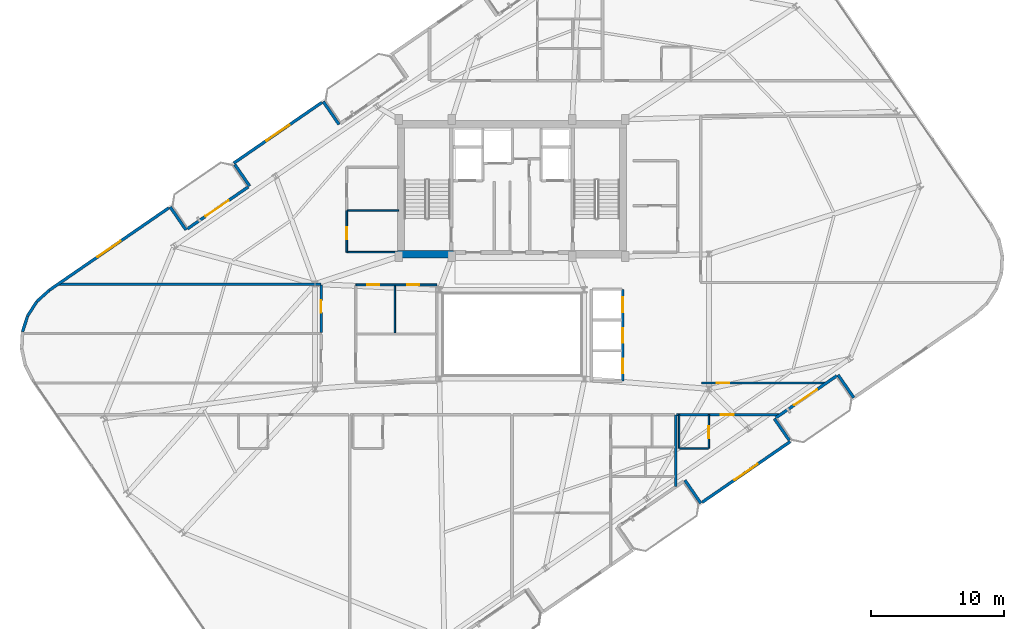
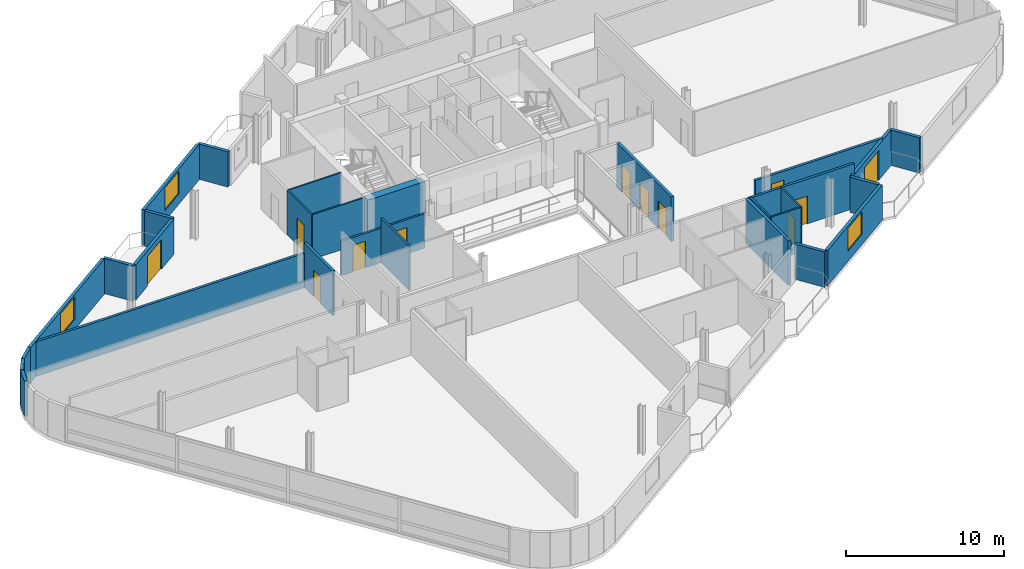
# One storey, part 15 of 21: 29 walls, 12 doors, 3 windows, 15 openings.
"""IFC4 building model written with IfcOpenShell, lengths in metres."""

from ifc_helpers import new_model, si_unit, direction, frame, frame_2d, origin, place, context, subcontext, project, spatial, rectangle, extrude, material, layer, layer_set, type_object, element, fill, save


model = new_model("IFC4")

# Units and contexts
model_context = context("Model", 3, precision=1e-05, world=origin(), true_north=direction((0.0, 1.0)))
body_context = subcontext(model_context, "Body", "Model", "MODEL_VIEW")
ifc_project = project(units=[si_unit("LENGTHUNIT", "METRE"), si_unit("AREAUNIT", "SQUARE_METRE"), si_unit("VOLUMEUNIT", "CUBIC_METRE"), si_unit("PLANEANGLEUNIT", "RADIAN"), si_unit("MASSUNIT", "GRAM", prefix="KILO")], contexts=[model_context])

# Site, building, storey
site_placement = place(None, origin())
site = spatial("IfcSite", under=ifc_project, at=site_placement, CompositionType="ELEMENT")
building_placement = place(site_placement, origin())
building = spatial("IfcBuilding", under=site, at=building_placement, Name="Varnelok Gate Tower", CompositionType="ELEMENT")
storey_placement = place(building_placement, frame((0.0, 0.0, 269.300048828125)))
storey = spatial("IfcBuildingStorey", under=building, at=storey_placement, Name="L69", CompositionType="ELEMENT", Elevation=269.300048828125)

# Wall, opening, door
ifc_material_1 = material(Name="Concrete C45/55", Category="concrete")
ifc_layer_1 = layer(ifc_material_1, 0.219970703125)
ifc_layer_set_1 = layer_set([ifc_layer_1], Name="Concrete C45/55")
wall_type_1 = type_object("IfcWallType", Name="EW-BALC-220", PredefinedType="SOLIDWALL", material=ifc_layer_set_1)
wall_1_placement = place(storey_placement, frame((63.60498046875, 19.780029296875, 0.0), z_axis=(0.0, 0.0, 1.0), x_axis=(-0.823541290762, -0.567256328665, 0.0)))
wall_1 = element("IfcWall", 1, at=wall_1_placement, inside=storey, type_object=wall_type_1, Name="L69 South Terrace Envelope Wall 3", PredefinedType="SOLIDWALL", context=body_context, shape_type="SweptSolid", body=[
    extrude(rectangle(XDim=5.567138671875, YDim=0.219970703125, at=frame_2d((2.78369140625, 0.0))), origin(), (0.0, 0.0, 1.0), 2.72998046875),
])
opening_1_placement = place(wall_1_placement, frame((1.786865234375, 0.0, 0.0)))
opening_1 = element("IfcOpeningElement", 2, at=opening_1_placement, cuts=wall_1, Name="Opening BD-2", PredefinedType="OPENING", context=body_context, shape_type="SweptSolid", body=[
    extrude(rectangle(XDim=2.10009765625, YDim=2.300048828125, at=frame_2d((1.050048828125, 1.14990234375))), frame((0.0, 0.119873046875, 0.0), z_axis=(0.0, -1.0, 0.0), x_axis=(1.0, 0.0, 0.0)), (0.0, 0.0, 1.0), 0.239990234375),
])
ifc_material_2 = material(Name="Anodized Aluminum Alloy 6063-T6", Category="aluminium")
door_type_1 = type_object("IfcDoorType", Name="DR-EXT-SLID2100", OperationType="SLIDING_TO_LEFT", PredefinedType="DOOR", material=ifc_material_2)
door_1_placement = place(opening_1_placement, origin())
door_1 = element("IfcDoor", 3, at=door_1_placement, inside=storey, type_object=door_type_1, Name="L69 South Balcony Glazed Door 3", OperationType="SLIDING_TO_LEFT", OverallHeight=2.300048828125, OverallWidth=2.10009765625, PredefinedType="DOOR", context=body_context, shape_type="SweptSolid", body=[
    extrude(rectangle(XDim=2.10009765625, YDim=2.300048828125, at=frame_2d((1.050048828125, 1.14990234375))), frame((0.0, 0.02490234375, 0.0), z_axis=(0.0, -1.0, 0.0), x_axis=(1.0, 0.0, 0.0)), (0.0, 0.0, 1.0), 0.050048828125),
])
fill(opening_1, door_1)

wall_2_placement = place(storey_placement, frame((14.794921875, 30.81982421875, 0.0), z_axis=(0.0, 0.0, 1.0), x_axis=(0.823541290762, 0.567256328665, 0.0)))
wall_2 = element("IfcWall", 4, at=wall_2_placement, inside=storey, type_object=wall_type_1, Name="L69 North Terrace Envelope Wall 4", PredefinedType="SOLIDWALL", context=body_context, shape_type="SweptSolid", body=[
    extrude(rectangle(XDim=5.567138671875, YDim=0.219970703125, at=frame_2d((2.78369140625, 0.0))), origin(), (0.0, 0.0, 1.0), 2.72998046875),
])
opening_2_placement = place(wall_2_placement, frame((1.68017578125, 0.0, 0.0)))
opening_2 = element("IfcOpeningElement", 5, at=opening_2_placement, cuts=wall_2, Name="Opening BD-2", PredefinedType="OPENING", context=body_context, shape_type="SweptSolid", body=[
    extrude(rectangle(XDim=2.10009765625, YDim=2.300048828125, at=frame_2d((1.050048828125, 1.14990234375))), frame((0.0, 0.119873046875, 0.0), z_axis=(0.0, -1.0, 0.0), x_axis=(1.0, 0.0, 0.0)), (0.0, 0.0, 1.0), 0.239990234375),
])
door_2_placement = place(opening_2_placement, origin())
door_2 = element("IfcDoor", 6, at=door_2_placement, inside=storey, type_object=door_type_1, Name="L69 North Balcony Glazed Door 4", OperationType="SLIDING_TO_LEFT", OverallHeight=2.300048828125, OverallWidth=2.10009765625, PredefinedType="DOOR", context=body_context, shape_type="SweptSolid", body=[
    extrude(rectangle(XDim=2.10009765625, YDim=2.300048828125, at=frame_2d((1.050048828125, 1.14990234375))), frame((0.0, 0.02490234375, 0.0), z_axis=(0.0, -1.0, 0.0), x_axis=(1.0, 0.0, 0.0)), (0.0, 0.0, 1.0), 0.050048828125),
])
fill(opening_2, door_2)

# Wall
wall_3_placement = place(storey_placement, frame((52.19580078125, 11.933349609375, 0.0), z_axis=(0.0, 0.0, 1.0), x_axis=(0.56729822855, -0.823512428494, 0.0)))
element("IfcWall", 7, at=wall_3_placement, inside=storey, type_object=wall_type_1, Name="L69 Perimeter Facade Closure Wall 12", PredefinedType="SOLIDWALL", context=body_context, shape_type="SweptSolid", body=[
    extrude(rectangle(XDim=2.10009765625, YDim=0.219970703125, at=frame_2d((1.050048828125, 0.0))), origin(), (0.0, 0.0, 1.0), 2.72998046875),
])

# Wall, opening, window
wall_4_placement = place(storey_placement, frame((53.489990234375, 10.27490234375, 0.0), z_axis=(0.0, 0.0, 1.0), x_axis=(0.823530942962, 0.56727135128, 0.0)))
wall_4 = element("IfcWall", 8, at=wall_4_placement, inside=storey, type_object=wall_type_1, Name="L69 Perimeter Facade Closure Wall 13", PredefinedType="SOLIDWALL", context=body_context, shape_type="SweptSolid", body=[
    extrude(rectangle(XDim=8.03515625, YDim=0.219970703125, at=frame_2d((4.017578125, 0.0))), origin(), (0.0, 0.0, 1.0), 2.72998046875),
])
opening_3_placement = place(wall_4_placement, frame((2.967529296875, 0.0, 0.800048828125)))
opening_3 = element("IfcOpeningElement", 9, at=opening_3_placement, cuts=wall_4, Name="Opening WN4", PredefinedType="OPENING", context=body_context, shape_type="SweptSolid", body=[
    extrude(rectangle(XDim=2.10009765625, YDim=1.75, at=frame_2d((1.050048828125, 0.875))), frame((0.0, 0.119873046875, 0.0), z_axis=(0.0, -1.0, 0.0), x_axis=(1.0, 0.0, 0.0)), (0.0, 0.0, 1.0), 0.239990234375),
])
ifc_material_3 = material(Name="Low-E Laminated Double Glazing IGU", Category="glass")
window_type = type_object("IfcWindowType", Name="WN-SUI-2100", PartitioningType="SINGLE_PANEL", PredefinedType="WINDOW", material=ifc_material_3)
window_1_placement = place(opening_3_placement, origin())
window_1 = element("IfcWindow", 10, at=window_1_placement, inside=storey, type_object=window_type, Name="L69 Perimeter Vision Window 13", OverallHeight=1.75, OverallWidth=2.10009765625, PartitioningType="SINGLE_PANEL", PredefinedType="WINDOW", context=body_context, shape_type="SweptSolid", body=[
    extrude(rectangle(XDim=2.10009765625, YDim=1.75, at=frame_2d((1.050048828125, 0.875))), frame((0.0, 0.030029296875, 0.0), z_axis=(0.0, -1.0, 0.0), x_axis=(1.0, 0.0, 0.0)), (0.0, 0.0, 1.0), 0.06005859375),
])
fill(opening_3, window_1)

# Walls
wall_5_placement = place(storey_placement, frame((60.0361328125, 14.935791015625, 0.0), z_axis=(0.0, 0.0, 1.0), x_axis=(-0.567273565974, 0.823529417415, 0.0)))
element("IfcWall", 11, at=wall_5_placement, inside=storey, type_object=wall_type_1, Name="L69 Perimeter Facade Closure Wall 14", PredefinedType="SOLIDWALL", context=body_context, shape_type="SweptSolid", body=[
    extrude(rectangle(XDim=1.97509765625, YDim=0.219970703125, at=frame_2d((0.987548828125, 0.0))), origin(), (0.0, 0.0, 1.0), 2.72998046875),
])
for number, where, z_axis, x_axis, name in (
    (12, (63.6982421875, 19.8564453125, 0.0), (0.0, 0.0, 1.0), (0.567219383419, -0.823566737474, 0.0), "L69 Perimeter Facade Closure Wall 15"),
    (13, (26.2041015625, 38.66650390625, 0.0), (0.0, 0.0, 1.0), (-0.567219383419, 0.823566737474, 0.0), "L69 Perimeter Facade Closure Wall 34"),
):
    element("IfcWall", number, at=place(storey_placement, frame(where, z_axis=z_axis, x_axis=x_axis)), inside=storey, type_object=wall_type_1, Name=name, PredefinedType="SOLIDWALL", context=body_context, shape_type="SweptSolid", body=[
        extrude(rectangle(XDim=2.10009765625, YDim=0.219970703125, at=frame_2d((1.050048828125, 0.0))), origin(), (0.0, 0.0, 1.0), 2.72998046875),
    ])

# Wall, opening, window
wall_6_placement = place(storey_placement, frame((24.909912109375, 40.3251953125, 0.0), z_axis=(0.0, 0.0, 1.0), x_axis=(-0.823521165086, -0.56728554596, 0.0)))
wall_6 = element("IfcWall", 14, at=wall_6_placement, inside=storey, type_object=wall_type_1, Name="L69 Perimeter Facade Closure Wall 35", PredefinedType="SOLIDWALL", context=body_context, shape_type="SweptSolid", body=[
    extrude(rectangle(XDim=8.034912109375, YDim=0.219970703125, at=frame_2d((4.017578125, 0.0))), origin(), (0.0, 0.0, 1.0), 2.72998046875),
])
opening_4_placement = place(wall_6_placement, frame((2.967529296875, 0.0, 0.800048828125)))
opening_4 = element("IfcOpeningElement", 15, at=opening_4_placement, cuts=wall_6, Name="Opening WN4", PredefinedType="OPENING", context=body_context, shape_type="SweptSolid", body=[
    extrude(rectangle(XDim=2.10009765625, YDim=1.75, at=frame_2d((1.050048828125, 0.875))), frame((0.0, 0.119873046875, 0.0), z_axis=(0.0, -1.0, 0.0), x_axis=(1.0, 0.0, 0.0)), (0.0, 0.0, 1.0), 0.239990234375),
])
window_2_placement = place(opening_4_placement, origin())
window_2 = element("IfcWindow", 16, at=window_2_placement, inside=storey, type_object=window_type, Name="L69 Perimeter Vision Window 35", OverallHeight=1.75, OverallWidth=2.10009765625, PartitioningType="SINGLE_PANEL", PredefinedType="WINDOW", context=body_context, shape_type="SweptSolid", body=[
    extrude(rectangle(XDim=2.10009765625, YDim=1.75, at=frame_2d((1.050048828125, 0.875))), frame((0.0, 0.030029296875, 0.0), z_axis=(0.0, -1.0, 0.0), x_axis=(1.0, 0.0, 0.0)), (0.0, 0.0, 1.0), 0.06005859375),
])
fill(opening_4, window_2)

# Walls
wall_7_placement = place(storey_placement, frame((18.36376953125, 35.664306640625, 0.0), z_axis=(0.0, 0.0, 1.0), x_axis=(0.567215821234, -0.823569190865, 0.0)))
element("IfcWall", 17, at=wall_7_placement, inside=storey, type_object=wall_type_1, Name="L69 Perimeter Facade Closure Wall 36", PredefinedType="SOLIDWALL", context=body_context, shape_type="SweptSolid", body=[
    extrude(rectangle(XDim=1.97509765625, YDim=0.219970703125, at=frame_2d((0.987548828125, 0.0))), origin(), (0.0, 0.0, 1.0), 2.72998046875),
])
wall_8_placement = place(storey_placement, frame((14.701904296875, 30.74365234375, 0.0), z_axis=(0.0, 0.0, 1.0), x_axis=(-0.567352541689, 0.823475010816, 0.0)))
element("IfcWall", 18, at=wall_8_placement, inside=storey, type_object=wall_type_1, Name="L69 Perimeter Facade Closure Wall 37", PredefinedType="SOLIDWALL", context=body_context, shape_type="SweptSolid", body=[
    extrude(rectangle(XDim=2.099853515625, YDim=0.219970703125, at=frame_2d((1.0498046875, 0.0))), origin(), (0.0, 0.0, 1.0), 2.72998046875),
])

# Wall, opening, window
wall_9_placement = place(storey_placement, frame((13.40771484375, 32.402099609375, 0.0), z_axis=(0.0, 0.0, 1.0), x_axis=(-0.823527634633, -0.567276154087, 0.0)))
wall_9 = element("IfcWall", 19, at=wall_9_placement, inside=storey, type_object=wall_type_1, Name="L69 Perimeter Facade Closure Wall 38", PredefinedType="SOLIDWALL", context=body_context, shape_type="SweptSolid", body=[
    extrude(rectangle(XDim=10.88037109375, YDim=0.219970703125, at=frame_2d((5.440185546875, 0.0))), origin(), (0.0, 0.0, 1.0), 2.72998046875),
])
opening_5_placement = place(wall_9_placement, frame((4.39013671875, 0.0, 0.800048828125)))
opening_5 = element("IfcOpeningElement", 20, at=opening_5_placement, cuts=wall_9, Name="Opening WN4", PredefinedType="OPENING", context=body_context, shape_type="SweptSolid", body=[
    extrude(rectangle(XDim=2.10009765625, YDim=1.75, at=frame_2d((1.050048828125, 0.875))), frame((0.0, 0.119873046875, 0.0), z_axis=(0.0, -1.0, 0.0), x_axis=(1.0, 0.0, 0.0)), (0.0, 0.0, 1.0), 0.239990234375),
])
window_3_placement = place(opening_5_placement, origin())
window_3 = element("IfcWindow", 21, at=window_3_placement, inside=storey, type_object=window_type, Name="L69 Perimeter Vision Window 38", OverallHeight=1.75, OverallWidth=2.10009765625, PartitioningType="SINGLE_PANEL", PredefinedType="WINDOW", context=body_context, shape_type="SweptSolid", body=[
    extrude(rectangle(XDim=2.10009765625, YDim=1.75, at=frame_2d((1.050048828125, 0.875))), frame((0.0, 0.030029296875, 0.0), z_axis=(0.0, -1.0, 0.0), x_axis=(1.0, 0.0, 0.0)), (0.0, 0.0, 1.0), 0.06005859375),
])
fill(opening_5, window_3)

# Walls
wall_10_placement = place(storey_placement, frame((4.428955078125, 26.21337890625, 0.0), z_axis=(0.0, 0.0, 1.0), x_axis=(-0.742414330744, -0.669941013453, 0.0)))
element("IfcWall", 22, at=wall_10_placement, inside=storey, type_object=wall_type_1, Name="L69 Perimeter Facade Closure Wall 39", PredefinedType="SOLIDWALL", context=body_context, shape_type="SweptSolid", body=[
    extrude(rectangle(XDim=1.256591796875, YDim=0.219970703125, at=frame_2d((0.62841796875, 0.0))), origin(), (0.0, 0.0, 1.0), 2.72998046875),
])
for number, where, z_axis, x_axis, name in (
    (23, (3.482421875, 25.3505859375, 0.0), (0.0, 0.0, 1.0), (-0.543778157277, -0.839229000731, 0.0), "L69 Perimeter Facade Closure Wall 40"),
    (24, (2.7958984375, 24.27880859375, 0.0), (0.0, 0.0, 1.0), (-0.30817950344, -0.951328226039, 0.0), "L69 Perimeter Facade Closure Wall 41"),
):
    element("IfcWall", number, at=place(storey_placement, frame(where, z_axis=z_axis, x_axis=x_axis)), inside=storey, type_object=wall_type_1, Name=name, PredefinedType="SOLIDWALL", context=body_context, shape_type="SweptSolid", body=[
        extrude(rectangle(XDim=1.24853515625, YDim=0.219970703125, at=frame_2d((0.624267578125, 0.0))), origin(), (0.0, 0.0, 1.0), 2.72998046875),
    ])

# Wall, opening, door
ifc_material_4 = material(Name="Gypsum Plasterboard Acoustic Partition", Category="gypsum")
ifc_layer_2 = layer(ifc_material_4, 0.179931640625)
ifc_layer_set_2 = layer_set([ifc_layer_2], Name="Gypsum Plasterboard Acoustic Partition")
wall_type_2 = type_object("IfcWallType", Name="PW-CORR-180", PredefinedType="PARTITIONING", material=ifc_layer_set_2)
wall_11_placement = place(storey_placement, frame((51.580078125, 16.85009765625, 0.0), z_axis=(0.0, 0.0, 1.0), x_axis=(1.0, 0.0, 0.0)))
wall_11 = element("IfcWall", 25, at=wall_11_placement, inside=storey, type_object=wall_type_2, Name="Interior Partition", PredefinedType="PARTITIONING", context=body_context, shape_type="SweptSolid", body=[
    extrude(rectangle(XDim=7.71826171875, YDim=0.179931640625, at=frame_2d((3.859130859375, 0.0))), origin(), (0.0, 0.0, 1.0), 3.449951171875),
])
opening_6_placement = place(wall_11_placement, frame((3.326171875, 0.0, 0.0)))
opening_6 = element("IfcOpeningElement", 26, at=opening_6_placement, cuts=wall_11, Name="Opening D-HT", PredefinedType="OPENING", context=body_context, shape_type="SweptSolid", body=[
    extrude(rectangle(XDim=0.949951171875, YDim=2.14990234375, at=frame_2d((0.47509765625, 1.074951171875))), frame((0.0, 0.099853515625, 0.0), z_axis=(0.0, -1.0, 0.0), x_axis=(1.0, 0.0, 0.0)), (0.0, 0.0, 1.0), 0.199951171875),
])
ifc_material_5 = material(Name="Engineered Hardwood Timber", Category="wood")
door_type_2 = type_object("IfcDoorType", Name="DR-HTL-950", OperationType="NOTDEFINED", PredefinedType="DOOR", material=ifc_material_5)
door_3_placement = place(opening_6_placement, origin())
door_3 = element("IfcDoor", 27, at=door_3_placement, inside=storey, type_object=door_type_2, Name="L69 Guest Room 04 Entrance Door", OperationType="SINGLE_SWING_LEFT", OverallHeight=2.14990234375, OverallWidth=0.949951171875, PredefinedType="DOOR", context=body_context, shape_type="SweptSolid", body=[
    extrude(rectangle(XDim=0.949951171875, YDim=2.14990234375, at=frame_2d((0.47509765625, 1.074951171875))), frame((0.0, 0.02490234375, 0.0), z_axis=(0.0, -1.0, 0.0), x_axis=(1.0, 0.0, 0.0)), (0.0, 0.0, 1.0), 0.050048828125),
])
fill(opening_6, door_3)

wall_12_placement = place(storey_placement, frame((24.85009765625, 23.030029296875, 0.0), z_axis=(0.0, 0.0, 1.0), x_axis=(0.0, 1.0, 0.0)))
wall_12 = element("IfcWall", 28, at=wall_12_placement, inside=storey, type_object=wall_type_2, Name="Interior Partition", PredefinedType="PARTITIONING", context=body_context, shape_type="SweptSolid", body=[
    extrude(rectangle(XDim=3.570068359375, YDim=0.179931640625, at=frame_2d((1.78515625, 0.0))), origin(), (0.0, 0.0, 1.0), 3.449951171875),
])
opening_7_placement = place(wall_12_placement, frame((1.49951171875, 0.0, 0.0)))
opening_7 = element("IfcOpeningElement", 29, at=opening_7_placement, cuts=wall_12, Name="Opening D-I3", PredefinedType="OPENING", context=body_context, shape_type="SweptSolid", body=[
    extrude(rectangle(XDim=0.919921875, YDim=2.050048828125, at=frame_2d((0.4599609375, 1.02490234375))), frame((0.0, 0.099853515625, 0.0), z_axis=(0.0, -1.0, 0.0), x_axis=(1.0, 0.0, 0.0)), (0.0, 0.0, 1.0), 0.199951171875),
])
door_type_3 = type_object("IfcDoorType", Name="DR-INT-920", OperationType="NOTDEFINED", PredefinedType="DOOR", material=ifc_material_5)
door_4_placement = place(opening_7_placement, origin())
door_4 = element("IfcDoor", 30, at=door_4_placement, inside=storey, type_object=door_type_3, Name="L69 West Wing Room 2 Door", OperationType="SINGLE_SWING_RIGHT", OverallHeight=2.050048828125, OverallWidth=0.919921875, PredefinedType="DOOR", context=body_context, shape_type="SweptSolid", body=[
    extrude(rectangle(XDim=0.919921875, YDim=2.050048828125, at=frame_2d((0.4599609375, 1.02490234375))), frame((0.0, 0.02490234375, 0.0), z_axis=(0.0, -1.0, 0.0), x_axis=(1.0, 0.0, 0.0)), (0.0, 0.0, 1.0), 0.050048828125),
])
fill(opening_7, door_4)

# Wall
wall_13_placement = place(storey_placement, frame((5.10693359375, 26.659912109375, 0.0), z_axis=(0.0, 0.0, 1.0), x_axis=(1.0, 0.0, 0.0)))
element("IfcWall", 31, at=wall_13_placement, inside=storey, type_object=wall_type_2, Name="Interior Partition", PredefinedType="PARTITIONING", context=body_context, shape_type="SweptSolid", body=[
    extrude(rectangle(XDim=19.7431640625, YDim=0.179931640625, at=frame_2d((9.87158203125, 0.0))), origin(), (0.0, 0.0, 1.0), 2.661865234375),
])

# Wall, opening, door
wall_14_placement = place(storey_placement, frame((53.449951171875, 19.239990234375, 0.0), z_axis=(0.0, 0.0, 1.0), x_axis=(1.0, 0.0, 0.0)))
wall_14 = element("IfcWall", 32, at=wall_14_placement, inside=storey, type_object=wall_type_2, Name="Interior Partition", PredefinedType="PARTITIONING", context=body_context, shape_type="SweptSolid", body=[
    extrude(rectangle(XDim=9.318115234375, YDim=0.179931640625, at=frame_2d((4.6591796875, 0.0))), origin(), (0.0, 0.0, 1.0), 2.739013671875),
])
opening_8_placement = place(wall_14_placement, frame((1.14990234375, 0.0, 0.0)))
opening_8 = element("IfcOpeningElement", 33, at=opening_8_placement, cuts=wall_14, Name="Opening D-I3", PredefinedType="OPENING", context=body_context, shape_type="SweptSolid", body=[
    extrude(rectangle(XDim=0.919921875, YDim=2.050048828125, at=frame_2d((0.4599609375, 1.02490234375))), frame((0.0, 0.099853515625, 0.0), z_axis=(0.0, -1.0, 0.0), x_axis=(1.0, 0.0, 0.0)), (0.0, 0.0, 1.0), 0.199951171875),
])
door_5_placement = place(opening_8_placement, origin())
door_5 = element("IfcDoor", 34, at=door_5_placement, inside=storey, type_object=door_type_3, Name="L69 East Studio Door", OperationType="SINGLE_SWING_LEFT", OverallHeight=2.050048828125, OverallWidth=0.919921875, PredefinedType="DOOR", context=body_context, shape_type="SweptSolid", body=[
    extrude(rectangle(XDim=0.919921875, YDim=2.050048828125, at=frame_2d((0.4599609375, 1.02490234375))), frame((0.0, 0.02490234375, 0.0), z_axis=(0.0, -1.0, 0.0), x_axis=(1.0, 0.0, 0.0)), (0.0, 0.0, 1.0), 0.050048828125),
])
fill(opening_8, door_5)

# Wall
ifc_layer_3 = layer(ifc_material_4, 0.114990234375)
ifc_layer_set_3 = layer_set([ifc_layer_3], Name="Gypsum Plasterboard Acoustic Partition")
wall_type_3 = type_object("IfcWallType", Name="PW-ENS-125", PredefinedType="PARTITIONING", material=ifc_layer_set_3)
wall_15_placement = place(storey_placement, frame((51.800048828125, 14.330078125, 0.0), z_axis=(0.0, 0.0, 1.0), x_axis=(1.0, 0.0, 0.0)))
element("IfcWall", 35, at=wall_15_placement, inside=storey, type_object=wall_type_3, Name="Interior Partition", PredefinedType="PARTITIONING", context=body_context, shape_type="SweptSolid", body=[
    extrude(rectangle(XDim=2.14990234375, YDim=0.114990234375, at=frame_2d((1.074951171875, 0.0))), origin(), (0.0, 0.0, 1.0), 3.449951171875),
])

# Wall, opening, door
wall_16_placement = place(storey_placement, frame((53.989990234375, 14.330078125, 0.0), z_axis=(0.0, 0.0, 1.0), x_axis=(0.0, 1.0, 0.0)))
wall_16 = element("IfcWall", 36, at=wall_16_placement, inside=storey, type_object=wall_type_3, Name="Interior Partition", PredefinedType="PARTITIONING", context=body_context, shape_type="SweptSolid", body=[
    extrude(rectangle(XDim=2.52001953125, YDim=0.114990234375, at=frame_2d((1.260009765625, 0.0))), origin(), (0.0, 0.0, 1.0), 3.449951171875),
])
opening_9_placement = place(wall_16_placement, frame((0.760009765625, 0.0, 0.0)))
opening_9 = element("IfcOpeningElement", 37, at=opening_9_placement, cuts=wall_16, Name="Opening D-WC", PredefinedType="OPENING", context=body_context, shape_type="SweptSolid", body=[
    extrude(rectangle(XDim=0.89990234375, YDim=2.050048828125, at=frame_2d((0.449951171875, 1.02490234375))), frame((0.0, 0.0673828125, 0.0), z_axis=(0.0, -1.0, 0.0), x_axis=(1.0, 0.0, 0.0)), (0.0, 0.0, 1.0), 0.135009765625),
])
door_type_4 = type_object("IfcDoorType", Name="DR-BATH-900", OperationType="NOTDEFINED", PredefinedType="DOOR", material=ifc_material_5)
door_6_placement = place(opening_9_placement, origin())
door_6 = element("IfcDoor", 38, at=door_6_placement, inside=storey, type_object=door_type_4, Name="L69 Guest En-Suite 04 Door", OperationType="SINGLE_SWING_LEFT", OverallHeight=2.050048828125, OverallWidth=0.89990234375, PredefinedType="DOOR", context=body_context, shape_type="SweptSolid", body=[
    extrude(rectangle(XDim=0.89990234375, YDim=2.050048828125, at=frame_2d((0.449951171875, 1.02490234375))), frame((0.0, 0.02490234375, 0.0), z_axis=(0.0, -1.0, 0.0), x_axis=(1.0, 0.0, 0.0)), (0.0, 0.0, 1.0), 0.050048828125),
])
fill(opening_9, door_6)

# Walls
wall_17_placement = place(storey_placement, frame((51.760009765625, 14.330078125, 0.0), z_axis=(0.0, 0.0, 1.0), x_axis=(0.0, 1.0, 0.0)))
element("IfcWall", 39, at=wall_17_placement, inside=storey, type_object=wall_type_3, Name="Interior Partition", PredefinedType="PARTITIONING", context=body_context, shape_type="SweptSolid", body=[
    extrude(rectangle(XDim=2.52001953125, YDim=0.114990234375, at=frame_2d((1.260009765625, 0.0))), origin(), (0.0, 0.0, 1.0), 3.449951171875),
])
wall_18_placement = place(storey_placement, frame((26.800048828125, 32.18994140625, 0.0), z_axis=(0.0, 0.0, 1.0), x_axis=(1.0, 0.0, 0.0)))
element("IfcWall", 40, at=wall_18_placement, inside=storey, type_object=wall_type_3, Name="Interior Partition", PredefinedType="PARTITIONING", context=body_context, shape_type="SweptSolid", body=[
    extrude(rectangle(XDim=3.8798828125, YDim=0.114990234375, at=frame_2d((1.93994140625, 0.0))), origin(), (0.0, 0.0, 1.0), 3.449951171875),
])
wall_19_placement = place(storey_placement, frame((26.780029296875, 29.080078125, 0.0), z_axis=(0.0, 0.0, 1.0), x_axis=(1.0, 0.0, 0.0)))
element("IfcWall", 41, at=wall_19_placement, inside=storey, type_object=wall_type_3, Name="Interior Partition", PredefinedType="PARTITIONING", context=body_context, shape_type="SweptSolid", body=[
    extrude(rectangle(XDim=3.800048828125, YDim=0.114990234375, at=frame_2d((1.89990234375, 0.0))), origin(), (0.0, 0.0, 1.0), 3.449951171875),
])

# Wall, opening, door
wall_20_placement = place(storey_placement, frame((26.780029296875, 29.080078125, 0.0), z_axis=(0.0, 0.0, 1.0), x_axis=(0.0, 1.0, 0.0)))
wall_20 = element("IfcWall", 42, at=wall_20_placement, inside=storey, type_object=wall_type_3, Name="Interior Partition", PredefinedType="PARTITIONING", context=body_context, shape_type="SweptSolid", body=[
    extrude(rectangle(XDim=3.10986328125, YDim=0.114990234375, at=frame_2d((1.554931640625, 0.0))), origin(), (0.0, 0.0, 1.0), 3.449951171875),
])
opening_10_placement = place(wall_20_placement, frame((0.949951171875, 0.0, 0.0)))
opening_10 = element("IfcOpeningElement", 43, at=opening_10_placement, cuts=wall_20, Name="Opening D-WC", PredefinedType="OPENING", context=body_context, shape_type="SweptSolid", body=[
    extrude(rectangle(XDim=0.89990234375, YDim=2.050048828125, at=frame_2d((0.449951171875, 1.02490234375))), frame((0.0, 0.0673828125, 0.0), z_axis=(0.0, -1.0, 0.0), x_axis=(1.0, 0.0, 0.0)), (0.0, 0.0, 1.0), 0.135009765625),
])
door_7_placement = place(opening_10_placement, origin())
door_7 = element("IfcDoor", 44, at=door_7_placement, inside=storey, type_object=door_type_4, Name="L69 Core Floor WC Door", OperationType="SINGLE_SWING_LEFT", OverallHeight=2.050048828125, OverallWidth=0.89990234375, PredefinedType="DOOR", context=body_context, shape_type="SweptSolid", body=[
    extrude(rectangle(XDim=0.89990234375, YDim=2.050048828125, at=frame_2d((0.449951171875, 1.02490234375))), frame((0.0, 0.02490234375, 0.0), z_axis=(0.0, -1.0, 0.0), x_axis=(1.0, 0.0, 0.0)), (0.0, 0.0, 1.0), 0.050048828125),
])
fill(opening_10, door_7)

# Wall
ifc_layer_4 = layer(ifc_material_4, 0.125)
ifc_layer_set_4 = layer_set([ifc_layer_4], Name="Gypsum Plasterboard Acoustic Partition")
wall_type_4 = type_object("IfcWallType", Name="PW-PART-125", PredefinedType="PARTITIONING", material=ifc_layer_set_4)
wall_21_placement = place(storey_placement, frame((30.39990234375, 23.0, 0.0), z_axis=(0.0, 0.0, 1.0), x_axis=(0.0, 1.0, 0.0)))
element("IfcWall", 45, at=wall_21_placement, inside=storey, type_object=wall_type_4, Name="Interior Partition", PredefinedType="PARTITIONING", context=body_context, shape_type="SweptSolid", body=[
    extrude(rectangle(XDim=3.5400390625, YDim=0.125, at=frame_2d((1.77001953125, 0.0))), origin(), (0.0, 0.0, 1.0), 3.449951171875),
])

# Wall, openings, doors
ifc_layer_5 = layer(ifc_material_4, 0.14990234375)
ifc_layer_set_5 = layer_set([ifc_layer_5], Name="Gypsum Plasterboard Acoustic Partition")
wall_type_5 = type_object("IfcWallType", Name="PW-PART-150", PredefinedType="PARTITIONING", material=ifc_layer_set_5)
wall_22_placement = place(storey_placement, frame((27.4599609375, 26.6201171875, 0.0), z_axis=(0.0, 0.0, 1.0), x_axis=(1.0, 0.0, 0.0)))
wall_22 = element("IfcWall", 46, at=wall_22_placement, inside=storey, type_object=wall_type_5, Name="Interior Partition", PredefinedType="PARTITIONING", context=body_context, shape_type="SweptSolid", body=[
    extrude(rectangle(XDim=6.10009765625, YDim=0.14990234375, at=frame_2d((3.050048828125, 0.0))), origin(), (0.0, 0.0, 1.0), 2.661865234375),
])
opening_11_placement = place(wall_22_placement, frame((0.85009765625, 0.0, 0.0)))
opening_11 = element("IfcOpeningElement", 47, at=opening_11_placement, cuts=wall_22, Name="Opening D-WC", PredefinedType="OPENING", context=body_context, shape_type="SweptSolid", body=[
    extrude(rectangle(XDim=0.89990234375, YDim=2.050048828125, at=frame_2d((0.449951171875, 1.02490234375))), frame((0.0, 0.0849609375, 0.0), z_axis=(0.0, -1.0, 0.0), x_axis=(1.0, 0.0, 0.0)), (0.0, 0.0, 1.0), 0.169921875),
])
opening_12_placement = place(wall_22_placement, frame((3.85009765625, 0.0, 0.0)))
opening_12 = element("IfcOpeningElement", 48, at=opening_12_placement, cuts=wall_22, Name="Opening D-I3", PredefinedType="OPENING", context=body_context, shape_type="SweptSolid", body=[
    extrude(rectangle(XDim=0.919921875, YDim=2.050048828125, at=frame_2d((0.4599609375, 1.02490234375))), frame((0.0, 0.0849609375, 0.0), z_axis=(0.0, -1.0, 0.0), x_axis=(1.0, 0.0, 0.0)), (0.0, 0.0, 1.0), 0.169921875),
])
door_8_placement = place(opening_11_placement, origin())
door_8 = element("IfcDoor", 49, at=door_8_placement, inside=storey, type_object=door_type_4, Name="L69 Accessible Floor WC Door", OperationType="SINGLE_SWING_RIGHT", OverallHeight=2.050048828125, OverallWidth=0.89990234375, PredefinedType="DOOR", context=body_context, shape_type="SweptSolid", body=[
    extrude(rectangle(XDim=0.89990234375, YDim=2.050048828125, at=frame_2d((0.449951171875, 1.02490234375))), frame((0.0, 0.02490234375, 0.0), z_axis=(0.0, -1.0, 0.0), x_axis=(1.0, 0.0, 0.0)), (0.0, 0.0, 1.0), 0.050048828125),
])
fill(opening_11, door_8)
door_9_placement = place(opening_12_placement, origin())
door_9 = element("IfcDoor", 50, at=door_9_placement, inside=storey, type_object=door_type_3, Name="L69 Cleaner Supply Door", OperationType="SINGLE_SWING_LEFT", OverallHeight=2.050048828125, OverallWidth=0.919921875, PredefinedType="DOOR", context=body_context, shape_type="SweptSolid", body=[
    extrude(rectangle(XDim=0.919921875, YDim=2.050048828125, at=frame_2d((0.4599609375, 1.02490234375))), frame((0.0, 0.02490234375, 0.0), z_axis=(0.0, -1.0, 0.0), x_axis=(1.0, 0.0, 0.0)), (0.0, 0.0, 1.0), 0.050048828125),
])
fill(opening_12, door_9)

# Wall
ifc_layer_6 = layer(ifc_material_4, 0.205078125)
ifc_layer_set_6 = layer_set([ifc_layer_6], Name="Gypsum Plasterboard Acoustic Partition")
wall_type_6 = type_object("IfcWallType", Name="PW-PARTY-200", PredefinedType="PARTITIONING", material=ifc_layer_set_6)
wall_23_placement = place(storey_placement, frame((51.5, 11.478515625, 0.0), z_axis=(0.0, 0.0, 1.0), x_axis=(0.0, 1.0, 0.0)))
element("IfcWall", 51, at=wall_23_placement, inside=storey, type_object=wall_type_6, Name="L69 South Party Wall 3", PredefinedType="PARTITIONING", context=body_context, shape_type="SweptSolid", body=[
    extrude(rectangle(XDim=5.37158203125, YDim=0.205078125, at=frame_2d((2.685791015625, 0.0))), origin(), (0.0, 0.0, 1.0), 3.449951171875),
])

# Wall, openings, doors
ifc_material_6 = material(Name="Concrete C35/45", Category="concrete")
ifc_layer_7 = layer(ifc_material_6, 0.199951171875)
ifc_layer_set_7 = layer_set([ifc_layer_7], Name="Concrete C35/45")
wall_type_7 = type_object("IfcWallType", Name="PW-SHAFT-200", PredefinedType="PARTITIONING", material=ifc_layer_set_7)
wall_24_placement = place(storey_placement, frame((47.52001953125, 19.3798828125, 0.0), z_axis=(0.0, 0.0, 1.0), x_axis=(0.0, 1.0, 0.0)))
wall_24 = element("IfcWall", 52, at=wall_24_placement, inside=storey, type_object=wall_type_7, Name="L69 PH Bank Front Wall", PredefinedType="PARTITIONING", context=body_context, shape_type="SweptSolid", body=[
    extrude(rectangle(XDim=6.900146484375, YDim=0.199951171875, at=frame_2d((3.4501953125, 0.0))), origin(), (0.0, 0.0, 1.0), 3.449951171875),
])
opening_13_placement = place(wall_24_placement, frame((0.590087890625, 0.0, 0.0)))
opening_13 = element("IfcOpeningElement", 53, at=opening_13_placement, cuts=wall_24, Name="Opening LD-PH1", PredefinedType="OPENING", context=body_context, shape_type="SweptSolid", body=[
    extrude(rectangle(XDim=1.10009765625, YDim=2.14990234375, at=frame_2d((0.550048828125, 1.074951171875))), frame((0.0, 0.10986328125, 0.0), z_axis=(0.0, -1.0, 0.0), x_axis=(1.0, 0.0, 0.0)), (0.0, 0.0, 1.0), 0.219970703125),
])
opening_14_placement = place(wall_24_placement, frame((2.889892578125, 0.0, 0.0)))
opening_14 = element("IfcOpeningElement", 54, at=opening_14_placement, cuts=wall_24, Name="Opening LD-PH2", PredefinedType="OPENING", context=body_context, shape_type="SweptSolid", body=[
    extrude(rectangle(XDim=1.10009765625, YDim=2.14990234375, at=frame_2d((0.550048828125, 1.074951171875))), frame((0.0, 0.10986328125, 0.0), z_axis=(0.0, -1.0, 0.0), x_axis=(1.0, 0.0, 0.0)), (0.0, 0.0, 1.0), 0.219970703125),
])
opening_15_placement = place(wall_24_placement, frame((5.18994140625, 0.0, 0.0)))
opening_15 = element("IfcOpeningElement", 55, at=opening_15_placement, cuts=wall_24, Name="Opening LD-PH3", PredefinedType="OPENING", context=body_context, shape_type="SweptSolid", body=[
    extrude(rectangle(XDim=1.10009765625, YDim=2.14990234375, at=frame_2d((0.550048828125, 1.074951171875))), frame((0.0, 0.10986328125, 0.0), z_axis=(0.0, -1.0, 0.0), x_axis=(1.0, 0.0, 0.0)), (0.0, 0.0, 1.0), 0.219970703125),
])
ifc_material_7 = material(Name="Galvanized Steel Grade S350GD", Category="steel")
door_type_5 = type_object("IfcDoorType", Name="DR-LIFT-PAX1100", OperationType="SLIDING_TO_LEFT", PredefinedType="DOOR", material=ifc_material_7)
door_10_placement = place(opening_13_placement, origin())
door_10 = element("IfcDoor", 56, at=door_10_placement, inside=storey, type_object=door_type_5, Name="L69 Passenger Lift Landing Door LD-PH1", OperationType="SLIDING_TO_LEFT", OverallHeight=2.14990234375, OverallWidth=1.10009765625, PredefinedType="DOOR", context=body_context, shape_type="SweptSolid", body=[
    extrude(rectangle(XDim=1.10009765625, YDim=2.14990234375, at=frame_2d((0.550048828125, 1.074951171875))), frame((0.0, 0.02490234375, 0.0), z_axis=(0.0, -1.0, 0.0), x_axis=(1.0, 0.0, 0.0)), (0.0, 0.0, 1.0), 0.050048828125),
])
fill(opening_13, door_10)
door_11_placement = place(opening_14_placement, origin())
door_11 = element("IfcDoor", 57, at=door_11_placement, inside=storey, type_object=door_type_5, Name="L69 Passenger Lift Landing Door LD-PH2", OperationType="SLIDING_TO_LEFT", OverallHeight=2.14990234375, OverallWidth=1.10009765625, PredefinedType="DOOR", context=body_context, shape_type="SweptSolid", body=[
    extrude(rectangle(XDim=1.10009765625, YDim=2.14990234375, at=frame_2d((0.550048828125, 1.074951171875))), frame((0.0, 0.02490234375, 0.0), z_axis=(0.0, -1.0, 0.0), x_axis=(1.0, 0.0, 0.0)), (0.0, 0.0, 1.0), 0.050048828125),
])
fill(opening_14, door_11)
door_12_placement = place(opening_15_placement, origin())
door_12 = element("IfcDoor", 58, at=door_12_placement, inside=storey, type_object=door_type_5, Name="L69 Passenger Lift Landing Door LD-PH3", OperationType="SLIDING_TO_LEFT", OverallHeight=2.14990234375, OverallWidth=1.10009765625, PredefinedType="DOOR", context=body_context, shape_type="SweptSolid", body=[
    extrude(rectangle(XDim=1.10009765625, YDim=2.14990234375, at=frame_2d((0.550048828125, 1.074951171875))), frame((0.0, 0.02490234375, 0.0), z_axis=(0.0, -1.0, 0.0), x_axis=(1.0, 0.0, 0.0)), (0.0, 0.0, 1.0), 0.050048828125),
])
fill(opening_15, door_12)

# Wall
ifc_material_8 = material(Name="Concrete C60/75", Category="concrete")
ifc_layer_8 = layer(ifc_material_8, 0.550048828125)
ifc_layer_set_8 = layer_set([ifc_layer_8], Name="Concrete C60/75")
wall_type_8 = type_object("IfcWallType", Name="SW-CORE-550", PredefinedType="SHEAR", material=ifc_layer_set_8)
wall_25_placement = place(storey_placement, frame((30.580078125, 28.925048828125, 0.0), z_axis=(0.0, 0.0, 1.0), x_axis=(1.0, 0.0, 0.0)))
element("IfcWall", 59, at=wall_25_placement, inside=storey, type_object=wall_type_8, Name="L69 Rear Core South-West Shear Wall", PredefinedType="SHEAR", context=body_context, shape_type="SweptSolid", body=[
    extrude(rectangle(XDim=4.219970703125, YDim=0.550048828125, at=frame_2d((2.10986328125, 0.0))), origin(), (0.0, 0.0, 1.0), 3.449951171875),
])

save(model, "model.ifc")
